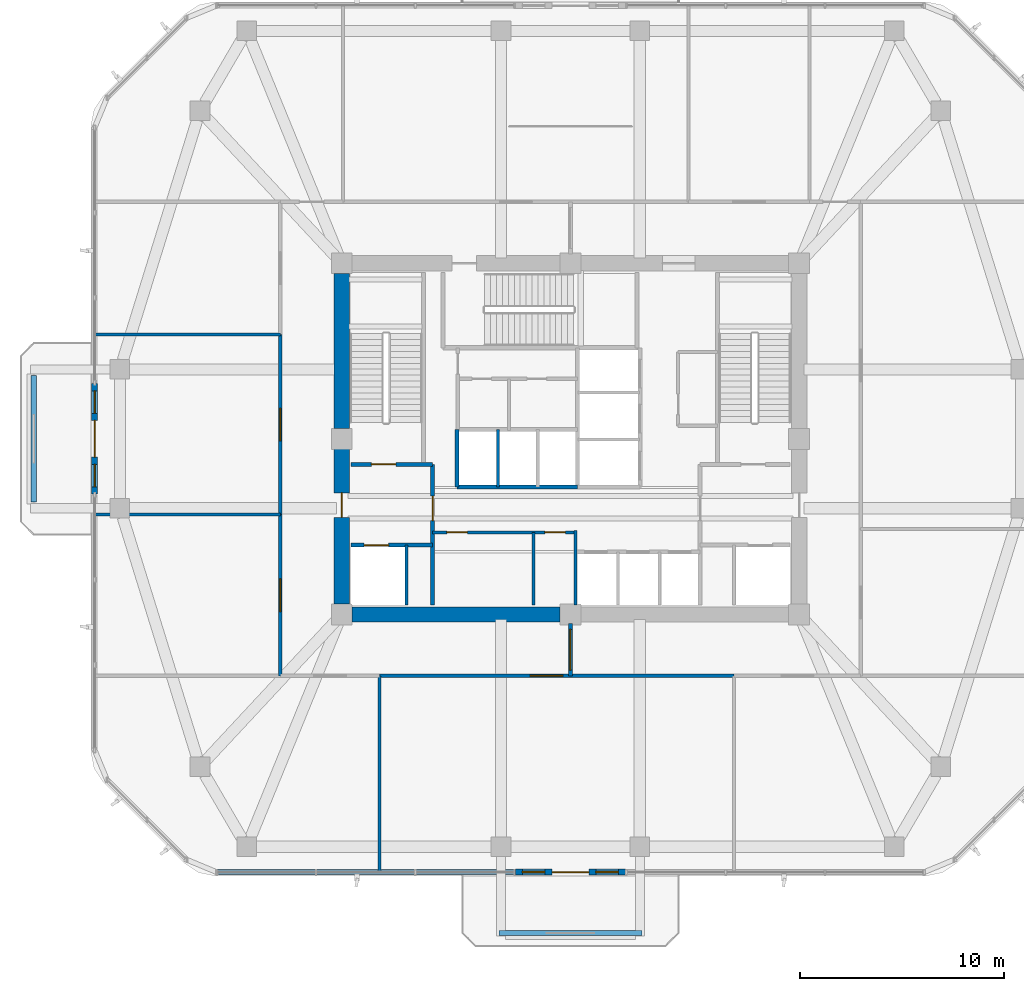
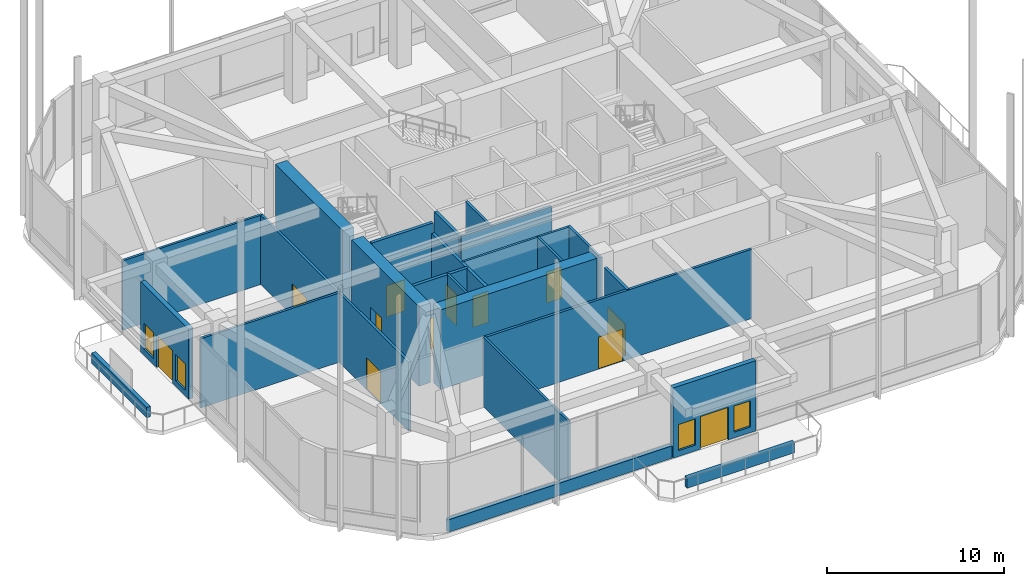
# One storey, part 6 of 12: 25 walls, 12 doors, 4 windows, 16 openings.
"""IFC4 building model written with IfcOpenShell, lengths in metres."""

from ifc_helpers import new_model, si_unit, derived_unit, direction, frame, frame_2d, origin, place, context, subcontext, project, spatial, rectangle, extrude, material, layer, layer_set, type_object, element, fill, save


model = new_model("IFC4")

# Units and contexts
model_context = context("Model", 3, precision=1e-05, world=origin(), true_north=direction((0.0, 1.0)))
body_context = subcontext(model_context, "Body", "Model", "MODEL_VIEW")
ifc_project = project(units=[si_unit("LENGTHUNIT", "METRE"), si_unit("AREAUNIT", "SQUARE_METRE"), si_unit("VOLUMEUNIT", "CUBIC_METRE"), si_unit("PLANEANGLEUNIT", "RADIAN"), si_unit("MASSUNIT", "GRAM", prefix="KILO"), derived_unit("THERMALTRANSMITTANCEUNIT", [(si_unit("POWERUNIT", "WATT"), 1), (si_unit("LENGTHUNIT", "METRE"), -2), (si_unit("THERMODYNAMICTEMPERATUREUNIT", "KELVIN"), -1)])], contexts=[model_context])

# Site, building, storey
site_placement = place(None, origin())
site = spatial("IfcSite", under=ifc_project, at=site_placement, CompositionType="ELEMENT")
building_placement = place(site_placement, origin())
building = spatial("IfcBuilding", under=site, at=building_placement, Name="Koralith Skygarden Medical Center", CompositionType="ELEMENT")
storey_placement = place(building_placement, frame((0.0, 0.0, 129.06005859375)))
storey = spatial("IfcBuildingStorey", under=building, at=storey_placement, Name="L33", CompositionType="ELEMENT", Elevation=129.06005859375)

# Wall, openings, doors
ifc_material_1 = material(Name="Gypsum Board Partition")
ifc_layer_1 = layer(ifc_material_1, 0.14990234375)
ifc_layer_set_1 = layer_set([ifc_layer_1], Name="Gypsum Board Partition")
wall_type_1 = type_object("IfcWallType", Name="Clinical Acoustic Partition 150", PredefinedType="PARTITIONING", material=ifc_layer_set_1)
wall_1_placement = place(storey_placement, frame((30.25, 21.320068359375, 0.0), z_axis=(0.0, 0.0, 1.0), x_axis=(1.0, 0.0, 0.0)))
wall_1 = element("IfcWall", 1, at=wall_1_placement, inside=storey, type_object=wall_type_1, Name="L33 Clinical Acoustic Partition 150 W-CORE-L33-FREED-LR-N", PredefinedType="PARTITIONING", context=body_context, shape_type="SweptSolid", body=[
    extrude(rectangle(XDim=7.0, YDim=0.14990234375, at=frame_2d((3.5, 0.0))), origin(), (0.0, 0.0, 1.0), 4.77001953125),
])
opening_1_placement = place(wall_1_placement, frame((0.699951171875, 0.0, 0.0)))
opening_1 = element("IfcOpeningElement", 2, at=opening_1_placement, cuts=wall_1, Name="Opening D-SUP", PredefinedType="OPENING", context=body_context, shape_type="SweptSolid", body=[
    extrude(rectangle(XDim=1.0, YDim=2.14990234375, at=frame_2d((0.5, 1.074951171875))), frame((0.0, 0.0849609375, 0.0), z_axis=(0.0, -1.0, 0.0), x_axis=(1.0, 0.0, 0.0)), (0.0, 0.0, 1.0), 0.169921875),
])
opening_2_placement = place(wall_1_placement, frame((5.5, 0.0, 0.0)))
opening_2 = element("IfcOpeningElement", 3, at=opening_2_placement, cuts=wall_1, Name="Opening D-SUP", PredefinedType="OPENING", context=body_context, shape_type="SweptSolid", body=[
    extrude(rectangle(XDim=1.0, YDim=2.14990234375, at=frame_2d((0.5, 1.074951171875))), frame((0.0, 0.0849609375, 0.0), z_axis=(0.0, -1.0, 0.0), x_axis=(1.0, 0.0, 0.0)), (0.0, 0.0, 1.0), 0.169921875),
])
ifc_material_2 = material(Name="Aluminium 6063-T6", Category="aluminium")
door_type_1 = type_object("IfcDoorType", Name="Clinical Support Door D-SUP 1000", OperationType="NOTDEFINED", PredefinedType="DOOR", material=ifc_material_2)
door_1_placement = place(opening_1_placement, frame((1.0, 0.0, 0.0), z_axis=(0.0, 0.0, 1.0), x_axis=(-1.0, 0.0, 0.0)))
door_1 = element("IfcDoor", 4, at=door_1_placement, inside=storey, type_object=door_type_1, Name="L33 Medication Preparation Door", OperationType="SINGLE_SWING_LEFT", OverallHeight=2.14990234375, OverallWidth=1.0, PredefinedType="DOOR", context=body_context, shape_type="SweptSolid", body=[
    extrude(rectangle(XDim=1.0, YDim=2.14990234375, at=frame_2d((0.5, 1.074951171875))), frame((0.0, 0.02490234375, 0.0), z_axis=(0.0, -1.0, 0.0), x_axis=(1.0, 0.0, 0.0)), (0.0, 0.0, 1.0), 0.050048828125),
])
fill(opening_1, door_1)
door_2_placement = place(opening_2_placement, frame((1.0, 0.0, 0.0), z_axis=(0.0, 0.0, 1.0), x_axis=(-1.0, 0.0, 0.0)))
door_2 = element("IfcDoor", 5, at=door_2_placement, inside=storey, type_object=door_type_1, Name="L33 Telemetry Room Door", OperationType="SINGLE_SWING_RIGHT", OverallHeight=2.14990234375, OverallWidth=1.0, PredefinedType="DOOR", context=body_context, shape_type="SweptSolid", body=[
    extrude(rectangle(XDim=1.0, YDim=2.14990234375, at=frame_2d((0.5, 1.074951171875))), frame((0.0, 0.02490234375, 0.0), z_axis=(0.0, -1.0, 0.0), x_axis=(1.0, 0.0, 0.0)), (0.0, 0.0, 1.0), 0.050048828125),
])
fill(opening_2, door_2)

# Walls
wall_2_placement = place(storey_placement, frame((35.199951171875, 17.75, 0.0), z_axis=(0.0, 0.0, 1.0), x_axis=(0.0, 1.0, 0.0)))
element("IfcWall", 6, at=wall_2_placement, inside=storey, type_object=wall_type_1, Name="L33 Clinical Acoustic Partition 150 W-CORE-L33-FREED-LR-M", PredefinedType="PARTITIONING", context=body_context, shape_type="SweptSolid", body=[
    extrude(rectangle(XDim=3.570068359375, YDim=0.14990234375, at=frame_2d((1.78515625, 0.0))), origin(), (0.0, 0.0, 1.0), 4.77001953125),
])
wall_3_placement = place(storey_placement, frame((27.64892578125, 14.2900390625, 0.0), z_axis=(0.0, 0.0, 1.0), x_axis=(0.0, -1.0, 0.0)))
element("IfcWall", 7, at=wall_3_placement, inside=storey, type_object=wall_type_1, Name="L33 Clinical Acoustic Partition 150 W-AMPART-L33-S-1", PredefinedType="PARTITIONING", context=body_context, shape_type="SweptSolid", body=[
    extrude(rectangle(XDim=9.590087890625, YDim=0.14990234375, at=frame_2d((4.794921875, 0.0))), origin(), (0.0, 0.0, 1.0), 4.77001953125),
])
for number, where, z_axis, x_axis, name in (
    (8, (22.7900390625, 22.18505859375, 0.0), (0.0, 0.0, 1.0), (-1.0, 0.0, 0.0), "L33 Clinical Acoustic Partition 150 W-AMPART-L33-W-1"),
    (9, (22.7900390625, 31.008056640625, 0.0), (0.0, 0.0, 1.0), (-1.0, 0.0, 0.0), "L33 Clinical Acoustic Partition 150 W-AMPART-L33-W-2"),
):
    element("IfcWall", number, at=place(storey_placement, frame(where, z_axis=z_axis, x_axis=x_axis)), inside=storey, type_object=wall_type_1, Name=name, PredefinedType="PARTITIONING", context=body_context, shape_type="SweptSolid", body=[
        extrude(rectangle(XDim=9.073974609375, YDim=0.14990234375, at=frame_2d((4.537109375, 0.0))), origin(), (0.0, 0.0, 1.0), 4.77001953125),
    ])

# Wall, opening, door
ifc_layer_2 = layer(ifc_material_1, 0.1650390625)
ifc_layer_set_2 = layer_set([ifc_layer_2], Name="Gypsum Board Partition")
wall_type_2 = type_object("IfcWallType", Name="Clinical Corridor Partition 165", PredefinedType="PARTITIONING", material=ifc_layer_set_2)
wall_4_placement = place(storey_placement, frame((27.64892578125, 14.2900390625, 0.0), z_axis=(0.0, 0.0, 1.0), x_axis=(1.0, 0.0, 0.0)))
wall_4 = element("IfcWall", 10, at=wall_4_placement, inside=storey, type_object=wall_type_2, Name="L33 Clinical Corridor Partition 165 W-AMCOR-L33-S-2", PredefinedType="PARTITIONING", context=body_context, shape_type="SweptSolid", body=[
    extrude(rectangle(XDim=17.365966796875, YDim=0.1650390625, at=frame_2d((8.68310546875, 0.0))), origin(), (0.0, 0.0, 1.0), 4.77001953125),
])
opening_3_placement = place(wall_4_placement, frame((7.3798828125, 0.0, 0.0)))
opening_3 = element("IfcOpeningElement", 11, at=opening_3_placement, cuts=wall_4, Name="Opening D-DBL", PredefinedType="OPENING", context=body_context, shape_type="SweptSolid", body=[
    extrude(rectangle(XDim=1.60009765625, YDim=2.199951171875, at=frame_2d((0.800048828125, 1.10009765625))), frame((0.0, 0.092529296875, 0.0), z_axis=(0.0, -1.0, 0.0), x_axis=(1.0, 0.0, 0.0)), (0.0, 0.0, 1.0), 0.18505859375),
])
door_type_2 = type_object("IfcDoorType", Name="Double Clinical Suite Door D-DBL 1600", OperationType="NOTDEFINED", PredefinedType="DOOR", material=ifc_material_2)
door_3_placement = place(opening_3_placement, frame((1.60009765625, 0.0, 0.0), z_axis=(0.0, 0.0, 1.0), x_axis=(-1.0, 0.0, 0.0)))
door_3 = element("IfcDoor", 12, at=door_3_placement, inside=storey, type_object=door_type_2, Name="L33 South Sky-Garden Verandah Lounge Door", OperationType="DOUBLE_DOOR_SINGLE_SWING", OverallHeight=2.199951171875, OverallWidth=1.60009765625, PredefinedType="DOOR", context=body_context, shape_type="SweptSolid", body=[
    extrude(rectangle(XDim=1.60009765625, YDim=2.199951171875, at=frame_2d((0.800048828125, 1.10009765625))), frame((0.0, 0.02490234375, 0.0), z_axis=(0.0, -1.0, 0.0), x_axis=(1.0, 0.0, 0.0)), (0.0, 0.0, 1.0), 0.050048828125),
])
fill(opening_3, door_3)

wall_5_placement = place(storey_placement, frame((22.7900390625, 14.2900390625, 0.0), z_axis=(0.0, 0.0, 1.0), x_axis=(0.0, 1.0, 0.0)))
wall_5 = element("IfcWall", 13, at=wall_5_placement, inside=storey, type_object=wall_type_2, Name="L33 Clinical Corridor Partition 165 W-AMCOR-L33-W-1", PredefinedType="PARTITIONING", context=body_context, shape_type="SweptSolid", body=[
    extrude(rectangle(XDim=7.89501953125, YDim=0.1650390625, at=frame_2d((3.947509765625, 0.0))), origin(), (0.0, 0.0, 1.0), 4.77001953125),
])
opening_4_placement = place(wall_5_placement, frame((3.14697265625, 0.0, 0.0)))
opening_4 = element("IfcOpeningElement", 14, at=opening_4_placement, cuts=wall_5, Name="Opening D-DBL", PredefinedType="OPENING", context=body_context, shape_type="SweptSolid", body=[
    extrude(rectangle(XDim=1.60009765625, YDim=2.199951171875, at=frame_2d((0.800048828125, 1.10009765625))), frame((0.0, 0.092529296875, 0.0), z_axis=(0.0, -1.0, 0.0), x_axis=(1.0, 0.0, 0.0)), (0.0, 0.0, 1.0), 0.18505859375),
])
door_4_placement = place(opening_4_placement, frame((1.60009765625, 0.0, 0.0), z_axis=(0.0, 0.0, 1.0), x_axis=(-1.0, 0.0, 0.0)))
door_4 = element("IfcDoor", 15, at=door_4_placement, inside=storey, type_object=door_type_2, Name="L33 Resident Case Huddle Seminar Room Door", OperationType="DOUBLE_DOOR_SINGLE_SWING", OverallHeight=2.199951171875, OverallWidth=1.60009765625, PredefinedType="DOOR", context=body_context, shape_type="SweptSolid", body=[
    extrude(rectangle(XDim=1.60009765625, YDim=2.199951171875, at=frame_2d((0.800048828125, 1.10009765625))), frame((0.0, 0.02490234375, 0.0), z_axis=(0.0, -1.0, 0.0), x_axis=(1.0, 0.0, 0.0)), (0.0, 0.0, 1.0), 0.050048828125),
])
fill(opening_4, door_4)

wall_6_placement = place(storey_placement, frame((22.7900390625, 22.18505859375, 0.0), z_axis=(0.0, 0.0, 1.0), x_axis=(0.0, 1.0, 0.0)))
wall_6 = element("IfcWall", 16, at=wall_6_placement, inside=storey, type_object=wall_type_2, Name="L33 Clinical Corridor Partition 165 W-AMCOR-L33-W-2", PredefinedType="PARTITIONING", context=body_context, shape_type="SweptSolid", body=[
    extrude(rectangle(XDim=8.822998046875, YDim=0.1650390625, at=frame_2d((4.41162109375, 0.0))), origin(), (0.0, 0.0, 1.0), 4.77001953125),
])
opening_5_placement = place(wall_6_placement, frame((3.612060546875, 0.0, 0.0)))
opening_5 = element("IfcOpeningElement", 17, at=opening_5_placement, cuts=wall_6, Name="Opening D-DBL", PredefinedType="OPENING", context=body_context, shape_type="SweptSolid", body=[
    extrude(rectangle(XDim=1.60009765625, YDim=2.199951171875, at=frame_2d((0.800048828125, 1.10009765625))), frame((0.0, 0.092529296875, 0.0), z_axis=(0.0, -1.0, 0.0), x_axis=(1.0, 0.0, 0.0)), (0.0, 0.0, 1.0), 0.18505859375),
])
door_5_placement = place(opening_5_placement, frame((1.60009765625, 0.0, 0.0), z_axis=(0.0, 0.0, 1.0), x_axis=(-1.0, 0.0, 0.0)))
door_5 = element("IfcDoor", 18, at=door_5_placement, inside=storey, type_object=door_type_2, Name="L33 West Sky-Garden Verandah Lounge Door", OperationType="DOUBLE_DOOR_SINGLE_SWING", OverallHeight=2.199951171875, OverallWidth=1.60009765625, PredefinedType="DOOR", context=body_context, shape_type="SweptSolid", body=[
    extrude(rectangle(XDim=1.60009765625, YDim=2.199951171875, at=frame_2d((0.800048828125, 1.10009765625))), frame((0.0, 0.02490234375, 0.0), z_axis=(0.0, -1.0, 0.0), x_axis=(1.0, 0.0, 0.0)), (0.0, 0.0, 1.0), 0.050048828125),
])
fill(opening_5, door_5)

ifc_layer_3 = layer(ifc_material_1, 0.199951171875)
ifc_layer_set_3 = layer_set([ifc_layer_3], Name="Gypsum Board Partition")
wall_type_3 = type_object("IfcWallType", Name="Fire Shaft Wall 200", PredefinedType="SOLIDWALL", material=ifc_layer_set_3)
wall_7_placement = place(storey_placement, frame((26.25, 20.699951171875, 0.0), z_axis=(0.0, 0.0, 1.0), x_axis=(1.0, 0.0, 0.0)))
wall_7 = element("IfcWall", 19, at=wall_7_placement, inside=storey, type_object=wall_type_3, Name="L33 Fire Shaft Wall 200 W-CORE-L33-FF1-N", PredefinedType="SOLIDWALL", context=body_context, shape_type="SweptSolid", body=[
    extrude(rectangle(XDim=4.0, YDim=0.199951171875, at=frame_2d((2.0, 0.0))), origin(), (0.0, 0.0, 1.0), 4.77001953125),
])
opening_6_placement = place(wall_7_placement, frame((0.64990234375, 0.0, 0.0)))
opening_6 = element("IfcOpeningElement", 20, at=opening_6_placement, cuts=wall_7, Name="Opening LD-FF", PredefinedType="OPENING", context=body_context, shape_type="SweptSolid", body=[
    extrude(rectangle(XDim=1.199951171875, YDim=2.14990234375, at=frame_2d((0.60009765625, 1.074951171875))), frame((0.0, 0.10986328125, 0.0), z_axis=(0.0, -1.0, 0.0), x_axis=(1.0, 0.0, 0.0)), (0.0, 0.0, 1.0), 0.219970703125),
])
ifc_material_3 = material(Name="Steel ASTM A500 Grade C", Category="steel")
door_type_3 = type_object("IfcDoorType", Name="Fire Lift Sliding Landing Door LD-FF 1200", OperationType="NOTDEFINED", PredefinedType="DOOR", material=ifc_material_3)
door_6_placement = place(opening_6_placement, origin())
door_6 = element("IfcDoor", 21, at=door_6_placement, inside=storey, type_object=door_type_3, Name="L33 Fire Service Elevator FF1 Landing Door", OperationType="SLIDING_TO_LEFT", OverallHeight=2.14990234375, OverallWidth=1.199951171875, PredefinedType="DOOR", context=body_context, shape_type="SweptSolid", body=[
    extrude(rectangle(XDim=1.199951171875, YDim=2.14990234375, at=frame_2d((0.60009765625, 1.074951171875))), frame((0.0, 0.02490234375, 0.0), z_axis=(0.0, -1.0, 0.0), x_axis=(1.0, 0.0, 0.0)), (0.0, 0.0, 1.0), 0.050048828125),
])
fill(opening_6, door_6)

wall_8_placement = place(storey_placement, frame((30.25, 17.75, 0.0), z_axis=(0.0, 0.0, 1.0), x_axis=(0.0, 1.0, 0.0)))
wall_8 = element("IfcWall", 22, at=wall_8_placement, inside=storey, type_object=wall_type_3, Name="L33 Fire Shaft Wall 200 W-CORE-L33-FSAEW-E", PredefinedType="SOLIDWALL", context=body_context, shape_type="SweptSolid", body=[
    extrude(rectangle(XDim=6.89990234375, YDim=0.199951171875, at=frame_2d((3.449951171875, 0.0))), origin(), (0.0, 0.0, 1.0), 4.77001953125),
])
opening_7_placement = place(wall_8_placement, frame((4.14990234375, 0.0, 0.0)))
opening_7 = element("IfcOpeningElement", 23, at=opening_7_placement, cuts=wall_8, Name="Opening D-ST60", PredefinedType="OPENING", context=body_context, shape_type="SweptSolid", body=[
    extrude(rectangle(XDim=1.199951171875, YDim=2.14990234375, at=frame_2d((0.60009765625, 1.074951171875))), frame((0.0, 0.10986328125, 0.0), z_axis=(0.0, -1.0, 0.0), x_axis=(1.0, 0.0, 0.0)), (0.0, 0.0, 1.0), 0.219970703125),
])
door_type_4 = type_object("IfcDoorType", Name="Smokeproof Stair Fire Door FD60S 1200", OperationType="NOTDEFINED", PredefinedType="DOOR", material=ifc_material_3)
door_7_placement = place(opening_7_placement, origin())
door_7 = element("IfcDoor", 24, at=door_7_placement, inside=storey, type_object=door_type_4, Name="L33 West Firefighting Lobby Inner Fire Door", OperationType="SINGLE_SWING_LEFT", OverallHeight=2.14990234375, OverallWidth=1.199951171875, PredefinedType="DOOR", context=body_context, shape_type="SweptSolid", body=[
    extrude(rectangle(XDim=1.199951171875, YDim=2.14990234375, at=frame_2d((0.60009765625, 1.074951171875))), frame((0.0, 0.02490234375, 0.0), z_axis=(0.0, -1.0, 0.0), x_axis=(1.0, 0.0, 0.0)), (0.0, 0.0, 1.0), 0.050048828125),
])
fill(opening_7, door_7)

# Walls
wall_9_placement = place(storey_placement, frame((31.449951171875, 23.5400390625, 0.0), z_axis=(0.0, 0.0, 1.0), x_axis=(1.0, 0.0, 0.0)))
element("IfcWall", 25, at=wall_9_placement, inside=storey, type_object=wall_type_3, Name="L33 Fire Shaft Wall 200 W-CORE-L33-PH-S", PredefinedType="SOLIDWALL", context=body_context, shape_type="SweptSolid", body=[
    extrude(rectangle(XDim=5.900146484375, YDim=0.199951171875, at=frame_2d((2.9501953125, 0.0))), origin(), (0.0, 0.0, 1.0), 4.77001953125),
])
wall_10_placement = place(storey_placement, frame((31.449951171875, 23.5400390625, 0.0), z_axis=(0.0, 0.0, 1.0), x_axis=(0.0, 1.0, 0.0)))
element("IfcWall", 26, at=wall_10_placement, inside=storey, type_object=wall_type_3, Name="L33 Fire Shaft Wall 200 W-CORE-L33-PH-W", PredefinedType="SOLIDWALL", context=body_context, shape_type="SweptSolid", body=[
    extrude(rectangle(XDim=2.81005859375, YDim=0.199951171875, at=frame_2d((1.405029296875, 0.0))), origin(), (0.0, 0.0, 1.0), 4.77001953125),
])

# Wall, opening, door
ifc_layer_4 = layer(ifc_material_1, 0.179931640625)
ifc_layer_set_4 = layer_set([ifc_layer_4], Name="Gypsum Board Partition")
wall_type_4 = type_object("IfcWallType", Name="Group I-2 Smoke Barrier Wall 180", PredefinedType="PARTITIONING", material=ifc_layer_set_4)
wall_11_placement = place(storey_placement, frame((37.0, 14.2900390625, 0.0), z_axis=(0.0, 0.0, 1.0), x_axis=(0.0, 1.0, 0.0)))
wall_11 = element("IfcWall", 27, at=wall_11_placement, inside=storey, type_object=wall_type_4, Name="L33 Group I-2 Smoke Barrier Wall 180 W-SMK-L33-S", PredefinedType="PARTITIONING", context=body_context, shape_type="SweptSolid", body=[
    extrude(rectangle(XDim=2.56005859375, YDim=0.179931640625, at=frame_2d((1.280029296875, 0.0))), origin(), (0.0, 0.0, 1.0), 4.77001953125),
])
opening_8_placement = place(wall_11_placement, frame((0.280029296875, 0.0, 0.0)))
opening_8 = element("IfcOpeningElement", 28, at=opening_8_placement, cuts=wall_11, Name="Opening D-SMK", PredefinedType="OPENING", context=body_context, shape_type="SweptSolid", body=[
    extrude(rectangle(XDim=2.0, YDim=2.199951171875, at=frame_2d((1.0, 1.10009765625))), frame((0.0, 0.099853515625, 0.0), z_axis=(0.0, -1.0, 0.0), x_axis=(1.0, 0.0, 0.0)), (0.0, 0.0, 1.0), 0.199951171875),
])
door_type_5 = type_object("IfcDoorType", Name="Cross-Corridor Double Smoke Door FD60S 2000", OperationType="NOTDEFINED", PredefinedType="DOOR", material=ifc_material_3)
door_8_placement = place(opening_8_placement, frame((2.0, 0.0, 0.0), z_axis=(0.0, 0.0, 1.0), x_axis=(-1.0, 0.0, 0.0)))
door_8 = element("IfcDoor", 29, at=door_8_placement, inside=storey, type_object=door_type_5, Name="L33 S Smoke Compartment Cross-Corridor Door", OperationType="DOUBLE_DOOR_SINGLE_SWING", OverallHeight=2.199951171875, OverallWidth=2.0, PredefinedType="DOOR", context=body_context, shape_type="SweptSolid", body=[
    extrude(rectangle(XDim=2.0, YDim=2.199951171875, at=frame_2d((1.0, 1.10009765625))), frame((0.0, 0.02490234375, 0.0), z_axis=(0.0, -1.0, 0.0), x_axis=(1.0, 0.0, 0.0)), (0.0, 0.0, 1.0), 0.050048828125),
])
fill(opening_8, door_8)

# Walls
ifc_material_4 = material(Name="Warm Oolitic Limestone Cladding", Category="masonry")
ifc_layer_5 = layer(ifc_material_4, 0.239990234375)
ifc_layer_set_5 = layer_set([ifc_layer_5], Name="Warm Oolitic Limestone Cladding")
wall_type_5 = type_object("IfcWallType", Name="Limestone Spandrel Sill Backup Wall 240", PredefinedType="SOLIDWALL", material=ifc_layer_set_5)
wall_12_placement = place(storey_placement, frame((19.6708984375, 4.679931640625, 0.0), z_axis=(0.0, 0.0, 1.0), x_axis=(1.0, 0.0, 0.0)))
element("IfcWall", 30, at=wall_12_placement, inside=storey, type_object=wall_type_5, Name="L33 Sill Spandrel S-L", PredefinedType="SOLIDWALL", context=body_context, shape_type="SweptSolid", body=[
    extrude(rectangle(XDim=14.588134765625, YDim=0.239990234375, at=frame_2d((7.2939453125, 0.0))), origin(), (0.0, 0.0, 1.0), 0.849853515625),
])
ifc_material_5 = material(Name="Concrete C70/85", Category="concrete")
ifc_layer_6 = layer(ifc_material_5, 0.75)
ifc_layer_set_6 = layer_set([ifc_layer_6], Name="Concrete C70/85")
wall_type_6 = type_object("IfcWallType", Name="Mid Core Shear Wall 750", PredefinedType="SHEAR", material=ifc_layer_set_6)
wall_13_placement = place(storey_placement, frame((26.304931640625, 17.300048828125, 0.0), z_axis=(0.0, 0.0, 1.0), x_axis=(1.0, 0.0, 0.0)))
element("IfcWall", 31, at=wall_13_placement, inside=storey, type_object=wall_type_6, Name="L33 Core Shear Wall Segment 1", PredefinedType="SHEAR", context=body_context, shape_type="SweptSolid", body=[
    extrude(rectangle(XDim=10.190185546875, YDim=0.75, at=frame_2d((5.09521484375, 0.0))), origin(), (0.0, 0.0, 1.0), 5.47998046875),
])
wall_14_placement = place(storey_placement, frame((25.800048828125, 33.9951171875, 0.0), z_axis=(0.0, 0.0, 1.0), x_axis=(0.0, -1.0, 0.0)))
element("IfcWall", 32, at=wall_14_placement, inside=storey, type_object=wall_type_6, Name="L33 Core Shear Wall Segment 7", PredefinedType="SHEAR", context=body_context, shape_type="SweptSolid", body=[
    extrude(rectangle(XDim=7.590087890625, YDim=0.75, at=frame_2d((3.794921875, 0.0))), origin(), (0.0, 0.0, 1.0), 5.47998046875),
])

# Wall, opening, door
wall_15_placement = place(storey_placement, frame((25.800048828125, 25.39501953125, 0.0), z_axis=(0.0, 0.0, 1.0), x_axis=(0.0, -1.0, 0.0)))
wall_15 = element("IfcWall", 33, at=wall_15_placement, inside=storey, type_object=wall_type_6, Name="L33 Core Shear Wall Segment 8", PredefinedType="SHEAR", context=body_context, shape_type="SweptSolid", body=[
    extrude(rectangle(XDim=7.590087890625, YDim=0.75, at=frame_2d((3.794921875, 0.0))), origin(), (0.0, 0.0, 1.0), 5.47998046875),
])
opening_9_placement = place(wall_15_placement, frame((2.14501953125, 0.0, 0.0)))
opening_9 = element("IfcOpeningElement", 34, at=opening_9_placement, cuts=wall_15, Name="Opening D-ST60", PredefinedType="OPENING", context=body_context, shape_type="SweptSolid", body=[
    extrude(rectangle(XDim=1.199951171875, YDim=2.14990234375, at=frame_2d((0.60009765625, 1.074951171875))), frame((0.0, 0.385009765625, 0.0), z_axis=(0.0, -1.0, 0.0), x_axis=(1.0, 0.0, 0.0)), (0.0, 0.0, 1.0), 0.77001953125),
])
door_9_placement = place(opening_9_placement, frame((1.199951171875, 0.0, 0.0), z_axis=(0.0, 0.0, 1.0), x_axis=(-1.0, 0.0, 0.0)))
door_9 = element("IfcDoor", 35, at=door_9_placement, inside=storey, type_object=door_type_4, Name="L33 West Corridor to Firefighting Lobby Door", OperationType="SINGLE_SWING_LEFT", OverallHeight=2.14990234375, OverallWidth=1.199951171875, PredefinedType="DOOR", context=body_context, shape_type="SweptSolid", body=[
    extrude(rectangle(XDim=1.199951171875, YDim=2.14990234375, at=frame_2d((0.60009765625, 1.074951171875))), frame((0.0, 0.02490234375, 0.0), z_axis=(0.0, -1.0, 0.0), x_axis=(1.0, 0.0, 0.0)), (0.0, 0.0, 1.0), 0.050048828125),
])
fill(opening_9, door_9)

# Wall, openings, door, windows
ifc_layer_7 = layer(ifc_material_4, 0.300048828125)
ifc_layer_set_7 = layer_set([ifc_layer_7], Name="Warm Oolitic Limestone Cladding")
wall_type_7 = type_object("IfcWallType", Name="Oolitic Limestone Insulated Facade Wall 300", PredefinedType="SOLIDWALL", material=ifc_layer_set_7)
wall_16_placement = place(storey_placement, frame((34.299072265625, 4.679931640625, 0.0), z_axis=(0.0, 0.0, 1.0), x_axis=(1.0, 0.0, 0.0)))
wall_16 = element("IfcWall", 36, at=wall_16_placement, inside=storey, type_object=wall_type_7, Name="L33 Terrace Portal Wall S", PredefinedType="SOLIDWALL", context=body_context, shape_type="SweptSolid", body=[
    extrude(rectangle(XDim=5.39990234375, YDim=0.300048828125, at=frame_2d((2.699951171875, 0.0))), origin(), (0.0, 0.0, 1.0), 4.829833984375),
])
opening_10_placement = place(wall_16_placement, frame((1.800048828125, 0.0, 0.0)))
opening_10 = element("IfcOpeningElement", 37, at=opening_10_placement, cuts=wall_16, Name="Opening D-SG", PredefinedType="OPENING", context=body_context, shape_type="SweptSolid", body=[
    extrude(rectangle(XDim=1.800048828125, YDim=2.25, at=frame_2d((0.89990234375, 1.125))), frame((0.0, 0.159912109375, 0.0), z_axis=(0.0, -1.0, 0.0), x_axis=(1.0, 0.0, 0.0)), (0.0, 0.0, 1.0), 0.320068359375),
])
opening_11_placement = place(wall_16_placement, frame((0.35009765625, 0.0, 0.39990234375)))
opening_11 = element("IfcOpeningElement", 38, at=opening_11_placement, cuts=wall_16, Name="Opening W-04", PredefinedType="OPENING", context=body_context, shape_type="SweptSolid", body=[
    extrude(rectangle(XDim=1.10009765625, YDim=1.800048828125, at=frame_2d((0.550048828125, 0.89990234375))), frame((0.0, 0.159912109375, 0.0), z_axis=(0.0, -1.0, 0.0), x_axis=(1.0, 0.0, 0.0)), (0.0, 0.0, 1.0), 0.320068359375),
])
opening_12_placement = place(wall_16_placement, frame((3.949951171875, 0.0, 0.39990234375)))
opening_12 = element("IfcOpeningElement", 39, at=opening_12_placement, cuts=wall_16, Name="Opening W-04", PredefinedType="OPENING", context=body_context, shape_type="SweptSolid", body=[
    extrude(rectangle(XDim=1.10009765625, YDim=1.800048828125, at=frame_2d((0.550048828125, 0.89990234375))), frame((0.0, 0.159912109375, 0.0), z_axis=(0.0, -1.0, 0.0), x_axis=(1.0, 0.0, 0.0)), (0.0, 0.0, 1.0), 0.320068359375),
])
door_type_6 = type_object("IfcDoorType", Name="Sky-Garden Double Terrace Door D-SG 1800", OperationType="NOTDEFINED", PredefinedType="DOOR", material=ifc_material_2)
door_10_placement = place(opening_10_placement, origin())
door_10 = element("IfcDoor", 40, at=door_10_placement, inside=storey, type_object=door_type_6, Name="L33 S Outdoor Terrace Access Door", OperationType="DOUBLE_DOOR_SINGLE_SWING", OverallHeight=2.25, OverallWidth=1.800048828125, PredefinedType="DOOR", context=body_context, shape_type="SweptSolid", body=[
    extrude(rectangle(XDim=1.800048828125, YDim=2.25, at=frame_2d((0.89990234375, 1.125))), frame((0.0, 0.02490234375, 0.0), z_axis=(0.0, -1.0, 0.0), x_axis=(1.0, 0.0, 0.0)), (0.0, 0.0, 1.0), 0.050048828125),
])
fill(opening_10, door_10)
ifc_material_6 = material(Name="Clear Laminated Glass", Category="glass")
window_type = type_object("IfcWindowType", Name="Sky-Garden Portal Sidelight Window W-04 1100x1800", PartitioningType="SINGLE_PANEL", PredefinedType="WINDOW", material=ifc_material_6)
window_1_placement = place(opening_11_placement, origin())
window_1 = element("IfcWindow", 41, at=window_1_placement, inside=storey, type_object=window_type, Name="L33 S Portal Sidelight 1", OverallHeight=1.800048828125, OverallWidth=1.10009765625, PartitioningType="SINGLE_PANEL", PredefinedType="WINDOW", context=body_context, shape_type="SweptSolid", body=[
    extrude(rectangle(XDim=1.10009765625, YDim=1.800048828125, at=frame_2d((0.550048828125, 0.89990234375))), frame((0.0, 0.030029296875, 0.0), z_axis=(0.0, -1.0, 0.0), x_axis=(1.0, 0.0, 0.0)), (0.0, 0.0, 1.0), 0.06005859375),
])
fill(opening_11, window_1)
window_2_placement = place(opening_12_placement, origin())
window_2 = element("IfcWindow", 42, at=window_2_placement, inside=storey, type_object=window_type, Name="L33 S Portal Sidelight 2", OverallHeight=1.800048828125, OverallWidth=1.10009765625, PartitioningType="SINGLE_PANEL", PredefinedType="WINDOW", context=body_context, shape_type="SweptSolid", body=[
    extrude(rectangle(XDim=1.10009765625, YDim=1.800048828125, at=frame_2d((0.550048828125, 0.89990234375))), frame((0.0, 0.030029296875, 0.0), z_axis=(0.0, -1.0, 0.0), x_axis=(1.0, 0.0, 0.0)), (0.0, 0.0, 1.0), 0.06005859375),
])
fill(opening_12, window_2)

wall_17_placement = place(storey_placement, frame((13.696044921875, 28.60107421875, 0.0), z_axis=(0.0, 0.0, 1.0), x_axis=(0.0, -1.0, 0.0)))
wall_17 = element("IfcWall", 43, at=wall_17_placement, inside=storey, type_object=wall_type_7, Name="L33 Terrace Portal Wall W", PredefinedType="SOLIDWALL", context=body_context, shape_type="SweptSolid", body=[
    extrude(rectangle(XDim=5.400146484375, YDim=0.300048828125, at=frame_2d((2.7001953125, 0.0))), origin(), (0.0, 0.0, 1.0), 4.829833984375),
])
opening_13_placement = place(wall_17_placement, frame((1.800048828125, 0.0, 0.0)))
opening_13 = element("IfcOpeningElement", 44, at=opening_13_placement, cuts=wall_17, Name="Opening D-SG", PredefinedType="OPENING", context=body_context, shape_type="SweptSolid", body=[
    extrude(rectangle(XDim=1.800048828125, YDim=2.25, at=frame_2d((0.89990234375, 1.125))), frame((0.0, 0.159912109375, 0.0), z_axis=(0.0, -1.0, 0.0), x_axis=(1.0, 0.0, 0.0)), (0.0, 0.0, 1.0), 0.320068359375),
])
opening_14_placement = place(wall_17_placement, frame((0.35009765625, 0.0, 0.39990234375)))
opening_14 = element("IfcOpeningElement", 45, at=opening_14_placement, cuts=wall_17, Name="Opening W-04", PredefinedType="OPENING", context=body_context, shape_type="SweptSolid", body=[
    extrude(rectangle(XDim=1.10009765625, YDim=1.800048828125, at=frame_2d((0.550048828125, 0.89990234375))), frame((0.0, 0.159912109375, 0.0), z_axis=(0.0, -1.0, 0.0), x_axis=(1.0, 0.0, 0.0)), (0.0, 0.0, 1.0), 0.320068359375),
])
opening_15_placement = place(wall_17_placement, frame((3.949951171875, 0.0, 0.39990234375)))
opening_15 = element("IfcOpeningElement", 46, at=opening_15_placement, cuts=wall_17, Name="Opening W-04", PredefinedType="OPENING", context=body_context, shape_type="SweptSolid", body=[
    extrude(rectangle(XDim=1.10009765625, YDim=1.800048828125, at=frame_2d((0.550048828125, 0.89990234375))), frame((0.0, 0.159912109375, 0.0), z_axis=(0.0, -1.0, 0.0), x_axis=(1.0, 0.0, 0.0)), (0.0, 0.0, 1.0), 0.320068359375),
])
door_11_placement = place(opening_13_placement, origin())
door_11 = element("IfcDoor", 47, at=door_11_placement, inside=storey, type_object=door_type_6, Name="L33 W Outdoor Terrace Access Door", OperationType="DOUBLE_DOOR_SINGLE_SWING", OverallHeight=2.25, OverallWidth=1.800048828125, PredefinedType="DOOR", context=body_context, shape_type="SweptSolid", body=[
    extrude(rectangle(XDim=1.800048828125, YDim=2.25, at=frame_2d((0.89990234375, 1.125))), frame((0.0, 0.02490234375, 0.0), z_axis=(0.0, -1.0, 0.0), x_axis=(1.0, 0.0, 0.0)), (0.0, 0.0, 1.0), 0.050048828125),
])
fill(opening_13, door_11)
window_3_placement = place(opening_14_placement, origin())
window_3 = element("IfcWindow", 48, at=window_3_placement, inside=storey, type_object=window_type, Name="L33 W Portal Sidelight 1", OverallHeight=1.800048828125, OverallWidth=1.10009765625, PartitioningType="SINGLE_PANEL", PredefinedType="WINDOW", context=body_context, shape_type="SweptSolid", body=[
    extrude(rectangle(XDim=1.10009765625, YDim=1.800048828125, at=frame_2d((0.550048828125, 0.89990234375))), frame((0.0, 0.030029296875, 0.0), z_axis=(0.0, -1.0, 0.0), x_axis=(1.0, 0.0, 0.0)), (0.0, 0.0, 1.0), 0.06005859375),
])
fill(opening_14, window_3)
window_4_placement = place(opening_15_placement, origin())
window_4 = element("IfcWindow", 49, at=window_4_placement, inside=storey, type_object=window_type, Name="L33 W Portal Sidelight 2", OverallHeight=1.800048828125, OverallWidth=1.10009765625, PartitioningType="SINGLE_PANEL", PredefinedType="WINDOW", context=body_context, shape_type="SweptSolid", body=[
    extrude(rectangle(XDim=1.10009765625, YDim=1.800048828125, at=frame_2d((0.550048828125, 0.89990234375))), frame((0.0, 0.030029296875, 0.0), z_axis=(0.0, -1.0, 0.0), x_axis=(1.0, 0.0, 0.0)), (0.0, 0.0, 1.0), 0.06005859375),
])
fill(opening_15, window_4)

# Walls
ifc_layer_8 = layer(ifc_material_1, 0.14990234375)
ifc_layer_set_8 = layer_set([ifc_layer_8], Name="Gypsum Board Partition")
wall_type_8 = type_object("IfcWallType", Name="Shaft Partition Wall 150", PredefinedType="PARTITIONING", material=ifc_layer_set_8)
wall_18_placement = place(storey_placement, frame((28.969970703125, 17.75, 0.0), z_axis=(0.0, 0.0, 1.0), x_axis=(0.0, 1.0, 0.0)))
element("IfcWall", 50, at=wall_18_placement, inside=storey, type_object=wall_type_8, Name="L33 Shaft Partition Wall 150 W-CORE-L33-RSRW-DIV", PredefinedType="PARTITIONING", context=body_context, shape_type="SweptSolid", body=[
    extrude(rectangle(XDim=2.949951171875, YDim=0.14990234375, at=frame_2d((1.47509765625, 0.0))), origin(), (0.0, 0.0, 1.0), 4.77001953125),
])
wall_19_placement = place(storey_placement, frame((37.25, 17.75, 0.0), z_axis=(0.0, 0.0, 1.0), x_axis=(0.0, 1.0, 0.0)))
element("IfcWall", 51, at=wall_19_placement, inside=storey, type_object=wall_type_8, Name="L33 Shaft Partition Wall 150 W-CORE-L33-PL-PM-SEP", PredefinedType="PARTITIONING", context=body_context, shape_type="SweptSolid", body=[
    extrude(rectangle(XDim=3.64990234375, YDim=0.14990234375, at=frame_2d((1.824951171875, 0.0))), origin(), (0.0, 0.0, 1.0), 4.77001953125),
])
wall_20_placement = place(storey_placement, frame((33.449951171875, 23.5400390625, 0.0), z_axis=(0.0, 0.0, 1.0), x_axis=(0.0, 1.0, 0.0)))
element("IfcWall", 52, at=wall_20_placement, inside=storey, type_object=wall_type_8, Name="L33 Shaft Partition Wall 150 W-CORE-L33-PH-D1", PredefinedType="PARTITIONING", context=body_context, shape_type="SweptSolid", body=[
    extrude(rectangle(XDim=2.81005859375, YDim=0.14990234375, at=frame_2d((1.405029296875, 0.0))), origin(), (0.0, 0.0, 1.0), 4.77001953125),
])
ifc_material_7 = material(Name="Precast concrete C40/50", Category="concrete")
ifc_layer_9 = layer(ifc_material_7, 0.25)
ifc_layer_set_9 = layer_set([ifc_layer_9], Name="Precast concrete C40/50")
wall_type_9 = type_object("IfcWallType", Name="Structural Concrete Balcony Planter Kerb 250", PredefinedType="PARAPET", material=ifc_layer_set_9)
wall_21_placement = place(storey_placement, frame((33.5, 1.699951171875, 0.0), z_axis=(0.0, 0.0, 1.0), x_axis=(1.0, 0.0, 0.0)))
element("IfcWall", 53, at=wall_21_placement, inside=storey, type_object=wall_type_9, Name="L33 S Structural Tree PLANTER Box", PredefinedType="PARAPET", context=body_context, shape_type="SweptSolid", body=[
    extrude(rectangle(XDim=7.0, YDim=0.25, at=frame_2d((3.5, 0.0))), origin(), (0.0, 0.0, 1.0), 0.719970703125),
])
wall_22_placement = place(storey_placement, frame((10.716064453125, 22.800048828125, 0.0), z_axis=(0.0, 0.0, 1.0), x_axis=(0.0, 1.0, 0.0)))
element("IfcWall", 54, at=wall_22_placement, inside=storey, type_object=wall_type_9, Name="L33 W Structural Tree PLANTER Box", PredefinedType="PARAPET", context=body_context, shape_type="SweptSolid", body=[
    extrude(rectangle(XDim=6.199951171875, YDim=0.25, at=frame_2d((3.10009765625, 0.0))), origin(), (0.0, 0.0, 1.0), 0.719970703125),
])

# Wall, opening, door
ifc_material_8 = material(Name="Concrete C45/55", Category="concrete")
ifc_layer_10 = layer(ifc_material_8, 0.199951171875)
ifc_layer_set_10 = layer_set([ifc_layer_10], Name="Concrete C45/55")
wall_type_10 = type_object("IfcWallType", Name="Structural Stair Shaft Wall 200", PredefinedType="SHEAR", material=ifc_layer_set_10)
wall_23_placement = place(storey_placement, frame((26.25, 24.64990234375, 0.0), z_axis=(0.0, 0.0, 1.0), x_axis=(1.0, 0.0, 0.0)))
wall_23 = element("IfcWall", 55, at=wall_23_placement, inside=storey, type_object=wall_type_10, Name="L33 Structural Stair Shaft Wall 200 W-CORE-L33-ST1-S", PredefinedType="SHEAR", context=body_context, shape_type="SweptSolid", body=[
    extrude(rectangle(XDim=4.0, YDim=0.199951171875, at=frame_2d((2.0, 0.0))), origin(), (0.0, 0.0, 1.0), 5.47998046875),
])
opening_16_placement = place(wall_23_placement, frame((1.0, 0.0, 0.0)))
opening_16 = element("IfcOpeningElement", 56, at=opening_16_placement, cuts=wall_23, Name="Opening D-ST60", PredefinedType="OPENING", context=body_context, shape_type="SweptSolid", body=[
    extrude(rectangle(XDim=1.199951171875, YDim=2.14990234375, at=frame_2d((0.60009765625, 1.074951171875))), frame((0.0, 0.10986328125, 0.0), z_axis=(0.0, -1.0, 0.0), x_axis=(1.0, 0.0, 0.0)), (0.0, 0.0, 1.0), 0.219970703125),
])
door_12_placement = place(opening_16_placement, origin())
door_12 = element("IfcDoor", 57, at=door_12_placement, inside=storey, type_object=door_type_4, Name="L33 Exit Stair ST1 Fire Door", OperationType="SINGLE_SWING_LEFT", OverallHeight=2.14990234375, OverallWidth=1.199951171875, PredefinedType="DOOR", context=body_context, shape_type="SweptSolid", body=[
    extrude(rectangle(XDim=1.199951171875, YDim=2.14990234375, at=frame_2d((0.60009765625, 1.074951171875))), frame((0.0, 0.02490234375, 0.0), z_axis=(0.0, -1.0, 0.0), x_axis=(1.0, 0.0, 0.0)), (0.0, 0.0, 1.0), 0.050048828125),
])
fill(opening_16, door_12)

save(model, "model.ifc")
